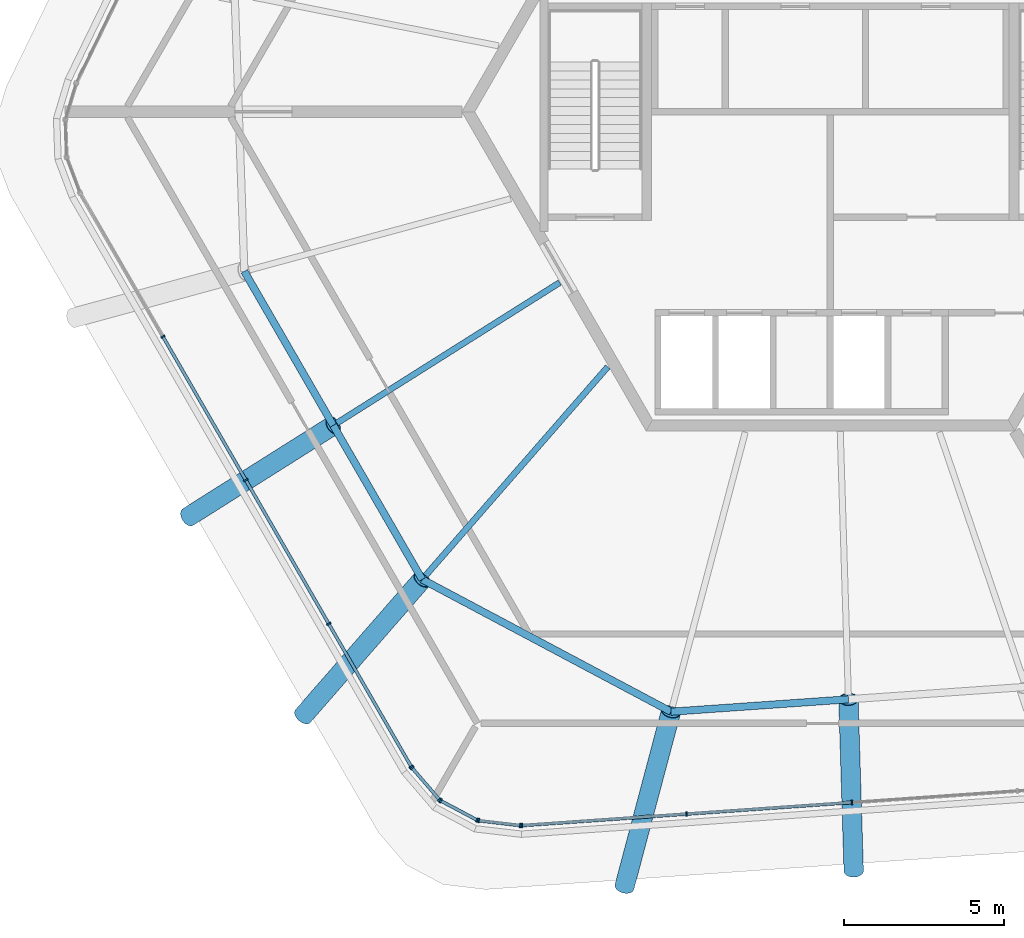
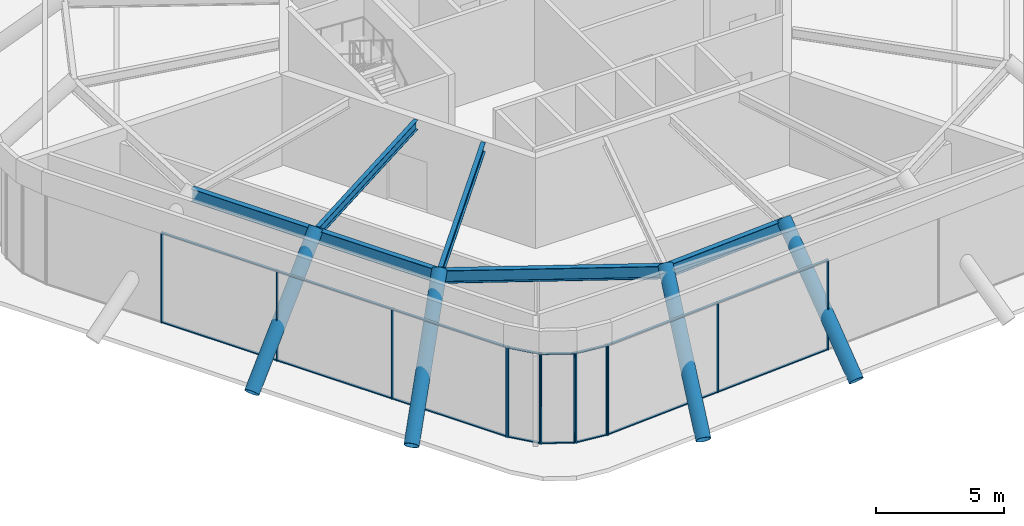
# One storey, part 1 of 13: 33 members, 6 beams, 5 elements without a shape of their own.
"""IFC4 building model written with IfcOpenShell, lengths in metres."""

import ifcopenshell
import ifcopenshell.guid

model = None  # the IFC model being written
_history = None  # IfcOwnerHistory: only IFC2X3 demands one
_inside = {}  # id of a spatial element -> (the spatial element, [elements in it])
_under = {}  # id of a project, library or spatial element -> (it, [spatial elements below it])
_declared = {}  # id of a project -> (the project, [libraries it declares])
_typed = {}  # id of a type object -> (the type object, [elements of that type])
_made_of = {}  # id of a material, layer set ... -> (it, [elements and type objects made of it])


def new_model(schema):
    """Start an empty IFC model of exactly this schema.

    Asked for "IFC4X3", IfcOpenShell would pick the latest addendum, in which some entities
    have other attributes; the version numbers below select the first issue.
    IFC2X3 requires an IfcOwnerHistory on every rooted entity: one is made here for all.
    """
    global model, _history
    if schema == "IFC4X3":
        model = ifcopenshell.file(schema_version=(4, 3, 0, 0))
    else:
        model = ifcopenshell.file(schema=schema)
    _inside.clear()
    _under.clear()
    _declared.clear()
    _typed.clear()
    _made_of.clear()
    _history = None
    if model.schema == "IFC2X3":
        org = make("IfcOrganization", Name="unknown")
        user = make(
            "IfcPersonAndOrganization",
            ThePerson=make("IfcPerson", FamilyName="unknown"),
            TheOrganization=org,
        )
        app = make(
            "IfcApplication",
            ApplicationDeveloper=org,
            Version="unknown",
            ApplicationFullName="unknown",
            ApplicationIdentifier="unknown",
        )
        _history = make(
            "IfcOwnerHistory",
            OwningUser=user,
            OwningApplication=app,
            ChangeAction="ADDED",
            CreationDate=0,
        )
    return model


def make(cls, **values):
    """One entity of the class cls with the attributes given. An attribute that is None is left unset."""
    return model.create_entity(
        cls, **{name: value for name, value in values.items() if value is not None}
    )


def rooted(cls, **values):
    """An entity with a GlobalId (a new one), such as an element, a storey or a relation."""
    return make(cls, GlobalId=ifcopenshell.guid.new(), OwnerHistory=_history, **values)


def si_unit(unit_type, name, prefix=None):
    """IfcSIUnit, for example si_unit("LENGTHUNIT", "METRE", prefix="MILLI")."""
    return make("IfcSIUnit", UnitType=unit_type, Prefix=prefix, Name=name)


def assignment(units):
    """IfcUnitAssignment: the units of a project."""
    return None if units is None else make("IfcUnitAssignment", Units=units)


def point(xyz):
    """IfcCartesianPoint."""
    return None if xyz is None else make("IfcCartesianPoint", Coordinates=xyz)


def direction(xyz):
    """IfcDirection."""
    return None if xyz is None else make("IfcDirection", DirectionRatios=xyz)


def frame(location, z_axis=None, x_axis=None):
    """IfcAxis2Placement3D, a coordinate frame: its origin and axes. An axis left out is left unset."""
    return make(
        "IfcAxis2Placement3D",
        Location=point(location),
        Axis=direction(z_axis),
        RefDirection=direction(x_axis),
    )


def frame_2d(location, x_axis=None):
    """IfcAxis2Placement2D, a coordinate frame in the plane: its origin and x axis."""
    return make(
        "IfcAxis2Placement2D", Location=point(location), RefDirection=direction(x_axis)
    )


def origin():
    """The frame at (0, 0, 0) with its axes left unset."""
    return frame((0.0, 0.0, 0.0))


def origin_2d():
    """The frame at (0, 0) in the plane with its x axis left unset."""
    return frame_2d((0.0, 0.0))


def place(relative_to, where):
    """IfcLocalPlacement: puts the frame where relative to a parent placement (None: the world)."""
    return make(
        "IfcLocalPlacement", PlacementRelTo=relative_to, RelativePlacement=where
    )


def context(
    kind, dimensions, precision=None, world=None, true_north=None, identifier=None
):
    """IfcGeometricRepresentationContext, for example the 3D "Model" context."""
    return make(
        "IfcGeometricRepresentationContext",
        ContextIdentifier=identifier,
        ContextType=kind,
        CoordinateSpaceDimension=dimensions,
        Precision=precision,
        WorldCoordinateSystem=world,
        TrueNorth=true_north,
    )


def subcontext(parent, identifier, kind, view, scale=None):
    """IfcGeometricRepresentationSubContext, for example "Body" below "Model"."""
    return make(
        "IfcGeometricRepresentationSubContext",
        ContextIdentifier=identifier,
        ContextType=kind,
        ParentContext=parent,
        TargetScale=scale,
        TargetView=view,
    )


def project(units=None, contexts=None):
    """IfcProject with its units and contexts."""
    return rooted(
        "IfcProject",
        Name="project",
        RepresentationContexts=contexts,
        UnitsInContext=assignment(units),
    )


def spatial(cls, under=None, at=None, **own):
    """A site, building, storey or space (cls), placed at a placement, below another one or the project."""
    s = rooted(cls, ObjectPlacement=at, **own)
    if under is not None:
        _under.setdefault(under.id(), (under, []))[1].append(s)
    return s


def profile(cls, at=None, kind="AREA", **sizes):
    """A parametric profile (cls). Its sizes go by their IFC names, for example OverallWidth=200.0."""
    return make(cls, ProfileType=kind, Position=at, **sizes)


def rectangle(**sizes):
    """IfcRectangleProfileDef."""
    return profile("IfcRectangleProfileDef", **sizes)


def hollow_circle(**sizes):
    """IfcCircleHollowProfileDef."""
    return profile("IfcCircleHollowProfileDef", **sizes)


def i_section(**sizes):
    """IfcIShapeProfileDef."""
    return profile("IfcIShapeProfileDef", **sizes)


def extrude(swept, where, along, depth):
    """IfcExtrudedAreaSolid: the profile swept, set in the frame where, extruded along a direction by depth."""
    return make(
        "IfcExtrudedAreaSolid",
        SweptArea=swept,
        Position=where,
        ExtrudedDirection=direction(along),
        Depth=depth,
    )


def shape(context_of_items, identifier, shape_type, items):
    """IfcShapeRepresentation: the items that make up one representation, for example the "Body"."""
    return make(
        "IfcShapeRepresentation",
        ContextOfItems=context_of_items,
        RepresentationIdentifier=identifier,
        RepresentationType=shape_type,
        Items=items,
    )


def material(Name=None, Category=None):
    """IfcMaterial."""
    return make("IfcMaterial", Name=Name, Category=Category)


def material_profile(
    of_material, cross_section, Name=None, Category=None, Priority=None
):
    """IfcMaterialProfile: a cross section and its material."""
    return make(
        "IfcMaterialProfile",
        Name=Name,
        Material=of_material,
        Profile=cross_section,
        Priority=Priority,
        Category=Category,
    )


def profile_set(profiles, Name=None, composite=None):
    """IfcMaterialProfileSet."""
    return make(
        "IfcMaterialProfileSet",
        Name=Name,
        MaterialProfiles=profiles,
        CompositeProfile=composite,
    )


def made_of(thing, what):
    """Note that an element or type object is made of a material, layer set ...; save() writes the relation."""
    if what is not None:
        _made_of.setdefault(what.id(), (what, []))[1].append(thing)
    return thing


def type_object(cls, material=None, **own):
    """A type object (cls), such as IfcWallType, which elements share."""
    return made_of(rooted(cls, **own), material)


def element(
    cls,
    number,
    at=None,
    inside=None,
    cuts=None,
    type_object=None,
    material=None,
    context=None,
    identifier="Body",
    shape_type=None,
    held_by="IfcProductDefinitionShape",
    body=None,
    shapes=None,
    **own,
):
    """One element of the class cls, such as IfcWall. Its Tag is "e" and its number.

    at: its placement. inside: the storey or other place that contains it. cuts: it is an
    opening in that element (IfcRelVoidsElement). A single representation is given by context,
    identifier, shape_type and body (its items); several are given by shapes. held_by: the class
    of the entity that holds the representations. save() writes the other relations.
    """
    e = rooted(cls, Tag="e%d" % number, ObjectPlacement=at, **own)
    if body is not None:
        shapes = [shape(context, identifier, shape_type, body)]
    if shapes is not None:
        e.Representation = make(held_by, Representations=shapes)
    if inside is not None:
        _inside.setdefault(inside.id(), (inside, []))[1].append(e)
    if cuts is not None:
        rooted(
            "IfcRelVoidsElement", RelatingBuildingElement=cuts, RelatedOpeningElement=e
        )
    if type_object is not None:
        _typed.setdefault(type_object.id(), (type_object, []))[1].append(e)
    return made_of(e, material)


def aggregate(whole, parts):
    """IfcRelAggregates: a whole, such as a stair, and the parts it consists of."""
    return rooted("IfcRelAggregates", RelatingObject=whole, RelatedObjects=parts)


def save(model, path):
    """Write the relations noted so far, then the file.

    IfcRelAggregates (storeys below a building ...), IfcRelContainedInSpatialStructure (elements
    in a storey), IfcRelDefinesByType, IfcRelAssociatesMaterial and IfcRelDeclares: one each for
    every whole, place, type object, material and project.
    """
    for whole, parts in _under.values():
        aggregate(whole, parts)
    for where, things in _inside.values():
        rooted(
            "IfcRelContainedInSpatialStructure",
            RelatedElements=things,
            RelatingStructure=where,
        )
    for kind, things in _typed.values():
        rooted("IfcRelDefinesByType", RelatedObjects=things, RelatingType=kind)
    for what, things in _made_of.values():
        rooted("IfcRelAssociatesMaterial", RelatedObjects=things, RelatingMaterial=what)
    for by, libraries in _declared.values():
        rooted("IfcRelDeclares", RelatingContext=by, RelatedDefinitions=libraries)
    model.write(path)


model = new_model("IFC4")

# Units and contexts
model_context = context("Model", 3, precision=1e-05, world=origin(), true_north=direction((0.0, 1.0)))
body_context = subcontext(model_context, "Body", "Model", "MODEL_VIEW")
ifc_project = project(units=[si_unit("LENGTHUNIT", "METRE"), si_unit("AREAUNIT", "SQUARE_METRE"), si_unit("VOLUMEUNIT", "CUBIC_METRE"), si_unit("PLANEANGLEUNIT", "RADIAN"), si_unit("MASSUNIT", "GRAM", prefix="KILO")], contexts=[model_context])

# Site, building, storey
site_placement = place(None, origin())
site = spatial("IfcSite", under=ifc_project, at=site_placement, CompositionType="ELEMENT")
building_placement = place(site_placement, origin())
building = spatial("IfcBuilding", under=site, at=building_placement, Name="Tarnside Tower", CompositionType="ELEMENT")
storey_placement = place(building_placement, frame((0.0, 0.0, 388.199951171875)))
storey = spatial("IfcBuildingStorey", under=building, at=storey_placement, Name="L92", CompositionType="ELEMENT", Elevation=388.199951171875)

# Curtain wall, members
ifc_material_1 = material(Name="Crown glazing wall", Category="glass")
curtain_wall_type = type_object("IfcCurtainWallType", Name="Crown glazing wall", PredefinedType="NOTDEFINED", material=ifc_material_1)
curtain_wall_1_placement = place(storey_placement, origin())
curtain_wall_1 = element("IfcCurtainWall", 1, at=curtain_wall_1_placement, inside=storey, type_object=curtain_wall_type, Name="Crown glazing L92 12", PredefinedType="NOTDEFINED")
ifc_material_2 = material(Name="Aluminium alloy 6063", Category="aluminium")
ifc_material_profile_1 = material_profile(ifc_material_2, rectangle(XDim=0.139892578125, YDim=0.050048828125, at=origin_2d()), Name="Crown glazing mullion 50 x 140")
ifc_profile_set_1 = profile_set([ifc_material_profile_1], Name="Aluminium alloy 6063")
member_type_1 = type_object("IfcMemberType", Name="Crown glazing mullion 50 x 140", PredefinedType="MULLION", material=ifc_profile_set_1)
member_1_placement = place(storey_placement, frame((0.673828125, -21.6357421875, 0.0), z_axis=(0.0, 0.0, 1.0), x_axis=(0.069756473744, -0.99756405026, 0.0)))
member_1 = element("IfcMember", 2, at=member_1_placement, type_object=member_type_1, Name="CW6 mullion 3", PredefinedType="MULLION", context=body_context, shape_type="SweptSolid", body=[
    extrude(rectangle(XDim=0.139892578125, YDim=0.050048828125, at=origin_2d()), origin(), (0.0, 0.0, 1.0), 4.300048828125),
])
member_2_placement = place(storey_placement, frame((-4.508544921875, -21.998046875, 0.0), z_axis=(0.0, 0.0, 1.0), x_axis=(0.069756473744, -0.99756405026, 0.0)))
member_2 = element("IfcMember", 3, at=member_2_placement, type_object=member_type_1, Name="CW6 mullion 4", PredefinedType="MULLION", context=body_context, shape_type="SweptSolid", body=[
    extrude(rectangle(XDim=0.139892578125, YDim=0.050048828125, at=origin_2d()), origin(), (0.0, 0.0, 1.0), 4.300048828125),
])
member_3_placement = place(storey_placement, frame((-9.666015625, -22.358642578125, 0.0), z_axis=(0.0, 0.0, 1.0), x_axis=(0.069756473744, -0.99756405026, 0.0)))
member_3 = element("IfcMember", 4, at=member_3_placement, type_object=member_type_1, Name="CW6 mullion 5", PredefinedType="MULLION", context=body_context, shape_type="SweptSolid", body=[
    extrude(rectangle(XDim=0.139892578125, YDim=0.050048828125, at=origin_2d()), origin(), (0.0, 0.0, 1.0), 4.300048828125),
])

curtain_wall_2_placement = place(storey_placement, origin())
curtain_wall_2 = element("IfcCurtainWall", 5, at=curtain_wall_2_placement, inside=storey, type_object=curtain_wall_type, Name="Crown glazing L92 13", PredefinedType="NOTDEFINED")
member_4_placement = place(storey_placement, frame((-9.7158203125, -22.357666015625, 0.0), z_axis=(0.0, 0.0, 1.0), x_axis=(-0.116092914096, -0.993238357745, 0.0)))
member_4 = element("IfcMember", 6, at=member_4_placement, type_object=member_type_1, Name="CW6 mullion 1", PredefinedType="MULLION", context=body_context, shape_type="SweptSolid", body=[
    extrude(rectangle(XDim=0.139892578125, YDim=0.050048828125, at=origin_2d()), origin(), (0.0, 0.0, 1.0), 4.300048828125),
])
member_5_placement = place(storey_placement, frame((-11.02001953125, -22.205078125, 0.0), z_axis=(0.0, 0.0, 1.0), x_axis=(-0.116092914096, -0.993238357745, 0.0)))
member_5 = element("IfcMember", 7, at=member_5_placement, type_object=member_type_1, Name="CW6 mullion 2", PredefinedType="MULLION", context=body_context, shape_type="SweptSolid", body=[
    extrude(rectangle(XDim=0.139892578125, YDim=0.050048828125, at=origin_2d()), origin(), (0.0, 0.0, 1.0), 4.300048828125),
])

curtain_wall_3_placement = place(storey_placement, origin())
curtain_wall_3 = element("IfcCurtainWall", 8, at=curtain_wall_3_placement, inside=storey, type_object=curtain_wall_type, Name="Crown glazing L92 14", PredefinedType="NOTDEFINED")
member_6_placement = place(storey_placement, frame((-11.067138671875, -22.1904296875, 0.0), z_axis=(0.0, 0.0, 1.0), x_axis=(-0.469471563094, -0.882947592695, 0.0)))
member_6 = element("IfcMember", 9, at=member_6_placement, type_object=member_type_1, Name="CW6 mullion 1", PredefinedType="MULLION", context=body_context, shape_type="SweptSolid", body=[
    extrude(rectangle(XDim=0.139892578125, YDim=0.050048828125, at=origin_2d()), origin(), (0.0, 0.0, 1.0), 4.300048828125),
])
member_7_placement = place(storey_placement, frame((-12.2080078125, -21.583740234375, 0.0), z_axis=(0.0, 0.0, 1.0), x_axis=(-0.469471563094, -0.882947592695, 0.0)))
member_7 = element("IfcMember", 10, at=member_7_placement, type_object=member_type_1, Name="CW6 mullion 2", PredefinedType="MULLION", context=body_context, shape_type="SweptSolid", body=[
    extrude(rectangle(XDim=0.139892578125, YDim=0.050048828125, at=origin_2d()), origin(), (0.0, 0.0, 1.0), 4.300048828125),
])

curtain_wall_4_placement = place(storey_placement, origin())
curtain_wall_4 = element("IfcCurtainWall", 11, at=curtain_wall_4_placement, inside=storey, type_object=curtain_wall_type, Name="Crown glazing L92 15", PredefinedType="NOTDEFINED")
member_8_placement = place(storey_placement, frame((-12.24658203125, -21.552978515625, 0.0), z_axis=(0.0, 0.0, 1.0), x_axis=(-0.758513583243, -0.651657228945, 0.0)))
member_8 = element("IfcMember", 12, at=member_8_placement, type_object=member_type_1, Name="CW6 mullion 1", PredefinedType="MULLION", context=body_context, shape_type="SweptSolid", body=[
    extrude(rectangle(XDim=0.139892578125, YDim=0.050048828125, at=origin_2d()), origin(), (0.0, 0.0, 1.0), 4.300048828125),
])
member_9_placement = place(storey_placement, frame((-13.102294921875, -20.556884765625, 0.0), z_axis=(0.0, 0.0, 1.0), x_axis=(-0.758513583243, -0.651657228945, 0.0)))
member_9 = element("IfcMember", 13, at=member_9_placement, type_object=member_type_1, Name="CW6 mullion 2", PredefinedType="MULLION", context=body_context, shape_type="SweptSolid", body=[
    extrude(rectangle(XDim=0.139892578125, YDim=0.050048828125, at=origin_2d()), origin(), (0.0, 0.0, 1.0), 4.300048828125),
])

curtain_wall_5_placement = place(storey_placement, origin())
curtain_wall_5 = element("IfcCurtainWall", 14, at=curtain_wall_5_placement, inside=storey, type_object=curtain_wall_type, Name="Crown glazing L92 16", PredefinedType="NOTDEFINED")
member_10_placement = place(storey_placement, frame((-13.131103515625, -20.516357421875, 0.0), z_axis=(0.0, 0.0, 1.0), x_axis=(-0.866025403802, -0.49999999997, 0.0)))
member_10 = element("IfcMember", 15, at=member_10_placement, type_object=member_type_1, Name="CW6 mullion 1", PredefinedType="MULLION", context=body_context, shape_type="SweptSolid", body=[
    extrude(rectangle(XDim=0.139892578125, YDim=0.050048828125, at=origin_2d()), origin(), (0.0, 0.0, 1.0), 4.300048828125),
])
member_11_placement = place(storey_placement, frame((-15.716064453125, -16.0390625, 0.0), z_axis=(0.0, 0.0, 1.0), x_axis=(-0.866025403802, -0.49999999997, 0.0)))
member_11 = element("IfcMember", 16, at=member_11_placement, type_object=member_type_1, Name="CW6 mullion 2", PredefinedType="MULLION", context=body_context, shape_type="SweptSolid", body=[
    extrude(rectangle(XDim=0.139892578125, YDim=0.050048828125, at=origin_2d()), origin(), (0.0, 0.0, 1.0), 4.300048828125),
])
member_12_placement = place(storey_placement, frame((-18.3134765625, -11.5400390625, 0.0), z_axis=(0.0, 0.0, 1.0), x_axis=(-0.866025403802, -0.49999999997, 0.0)))
member_12 = element("IfcMember", 17, at=member_12_placement, type_object=member_type_1, Name="CW6 mullion 3", PredefinedType="MULLION", context=body_context, shape_type="SweptSolid", body=[
    extrude(rectangle(XDim=0.139892578125, YDim=0.050048828125, at=origin_2d()), origin(), (0.0, 0.0, 1.0), 4.300048828125),
])
member_13_placement = place(storey_placement, frame((-20.9111328125, -7.041015625, 0.0), z_axis=(0.0, 0.0, 1.0), x_axis=(-0.866025403802, -0.49999999997, 0.0)))
member_13 = element("IfcMember", 18, at=member_13_placement, type_object=member_type_1, Name="CW6 mullion 4", PredefinedType="MULLION", context=body_context, shape_type="SweptSolid", body=[
    extrude(rectangle(XDim=0.139892578125, YDim=0.050048828125, at=origin_2d()), origin(), (0.0, 0.0, 1.0), 4.300048828125),
])

# Member
ifc_material_profile_2 = material_profile(ifc_material_2, rectangle(XDim=0.10009765625, YDim=0.050048828125, at=origin_2d()), Name="Crown glazing transom 50 x 100")
ifc_profile_set_2 = profile_set([ifc_material_profile_2], Name="Aluminium alloy 6063")
member_type_2 = type_object("IfcMemberType", Name="Crown glazing transom 50 x 100", PredefinedType="USERDEFINED", material=ifc_profile_set_2)
member_14_placement = place(storey_placement, frame((0.648681640625, -21.637451171875, 0.025146484375), z_axis=(-0.997564055017, -0.069756405712, 0.0), x_axis=(0.069756405712, -0.997564055017, 0.0)))
member_14 = element("IfcMember", 19, at=member_14_placement, type_object=member_type_2, Name="CW6 transom 3.1", ObjectType="TRANSOM", PredefinedType="USERDEFINED", context=body_context, shape_type="SweptSolid", body=[
    extrude(rectangle(XDim=0.10009765625, YDim=0.050048828125, at=origin_2d()), origin(), (0.0, 0.0, 1.0), 5.144775390625),
])

member_15_placement = place(storey_placement, frame((0.648681640625, -21.637451171875, 4.275146484375), z_axis=(-0.997564055017, -0.069756405712, 0.0), x_axis=(0.069756405712, -0.997564055017, 0.0)))
member_15 = element("IfcMember", 20, at=member_15_placement, type_object=member_type_2, Name="CW6 transom 3.2", ObjectType="TRANSOM", PredefinedType="USERDEFINED", context=body_context, shape_type="SweptSolid", body=[
    extrude(rectangle(XDim=0.10009765625, YDim=0.050048828125, at=origin_2d()), origin(), (0.0, 0.0, 1.0), 5.144775390625),
])

member_16_placement = place(storey_placement, frame((-4.533447265625, -21.999755859375, 0.025146484375), z_axis=(-0.997563847299, -0.069759376158, 0.0), x_axis=(0.069759376158, -0.997563847299, 0.0)))
member_16 = element("IfcMember", 21, at=member_16_placement, type_object=member_type_2, Name="CW6 transom 4.1", ObjectType="TRANSOM", PredefinedType="USERDEFINED", context=body_context, shape_type="SweptSolid", body=[
    extrude(rectangle(XDim=0.10009765625, YDim=0.050048828125, at=origin_2d()), origin(), (0.0, 0.0, 1.0), 5.1201171875),
])

member_17_placement = place(storey_placement, frame((-4.533447265625, -21.999755859375, 4.275146484375), z_axis=(-0.997563847299, -0.069759376158, 0.0), x_axis=(0.069759376158, -0.997563847299, 0.0)))
member_17 = element("IfcMember", 22, at=member_17_placement, type_object=member_type_2, Name="CW6 transom 4.2", ObjectType="TRANSOM", PredefinedType="USERDEFINED", context=body_context, shape_type="SweptSolid", body=[
    extrude(rectangle(XDim=0.10009765625, YDim=0.050048828125, at=origin_2d()), origin(), (0.0, 0.0, 1.0), 5.1201171875),
])

aggregate(curtain_wall_1, [member_1, member_2, member_3, member_14, member_15, member_16, member_17])

member_18_placement = place(storey_placement, frame((-9.740478515625, -22.354736328125, 0.025146484375), z_axis=(-0.993233451258, 0.116134884087, 0.0), x_axis=(-0.116134884087, -0.993233451258, 0.0)))
member_18 = element("IfcMember", 23, at=member_18_placement, type_object=member_type_2, Name="CW6 transom 1.1", ObjectType="TRANSOM", PredefinedType="USERDEFINED", context=body_context, shape_type="SweptSolid", body=[
    extrude(rectangle(XDim=0.10009765625, YDim=0.050048828125, at=origin_2d()), origin(), (0.0, 0.0, 1.0), 1.263427734375),
])

member_19_placement = place(storey_placement, frame((-9.740478515625, -22.354736328125, 4.275146484375), z_axis=(-0.993233451258, 0.116134884087, 0.0), x_axis=(-0.116134884087, -0.993233451258, 0.0)))
member_19 = element("IfcMember", 24, at=member_19_placement, type_object=member_type_2, Name="CW6 transom 1.2", ObjectType="TRANSOM", PredefinedType="USERDEFINED", context=body_context, shape_type="SweptSolid", body=[
    extrude(rectangle(XDim=0.10009765625, YDim=0.050048828125, at=origin_2d()), origin(), (0.0, 0.0, 1.0), 1.263427734375),
])

aggregate(curtain_wall_2, [member_4, member_5, member_18, member_19])

member_20_placement = place(storey_placement, frame((-11.089111328125, -22.1787109375, 0.025146484375), z_axis=(-0.882945187875, 0.469476085874, 0.0), x_axis=(-0.469476085874, -0.882945187875, 0.0)))
member_20 = element("IfcMember", 25, at=member_20_placement, type_object=member_type_2, Name="CW6 transom 1.1", ObjectType="TRANSOM", PredefinedType="USERDEFINED", context=body_context, shape_type="SweptSolid", body=[
    extrude(rectangle(XDim=0.10009765625, YDim=0.050048828125, at=origin_2d()), origin(), (0.0, 0.0, 1.0), 1.242431640625),
])

member_21_placement = place(storey_placement, frame((-11.089111328125, -22.1787109375, 4.275146484375), z_axis=(-0.882945187875, 0.469476085874, 0.0), x_axis=(-0.469476085874, -0.882945187875, 0.0)))
member_21 = element("IfcMember", 26, at=member_21_placement, type_object=member_type_2, Name="CW6 transom 1.2", ObjectType="TRANSOM", PredefinedType="USERDEFINED", context=body_context, shape_type="SweptSolid", body=[
    extrude(rectangle(XDim=0.10009765625, YDim=0.050048828125, at=origin_2d()), origin(), (0.0, 0.0, 1.0), 1.242431640625),
])

aggregate(curtain_wall_3, [member_6, member_7, member_20, member_21])

member_22_placement = place(storey_placement, frame((-12.2626953125, -21.5341796875, 0.025146484375), z_axis=(-0.65165036566, 0.758519479602, 0.0), x_axis=(-0.758519479602, -0.65165036566, 0.0)))
member_22 = element("IfcMember", 27, at=member_22_placement, type_object=member_type_2, Name="CW6 transom 1.1", ObjectType="TRANSOM", PredefinedType="USERDEFINED", context=body_context, shape_type="SweptSolid", body=[
    extrude(rectangle(XDim=0.10009765625, YDim=0.050048828125, at=origin_2d()), origin(), (0.0, 0.0, 1.0), 1.263427734375),
])

member_23_placement = place(storey_placement, frame((-12.2626953125, -21.5341796875, 4.275146484375), z_axis=(-0.65165036566, 0.758519479602, 0.0), x_axis=(-0.758519479602, -0.65165036566, 0.0)))
member_23 = element("IfcMember", 28, at=member_23_placement, type_object=member_type_2, Name="CW6 transom 1.2", ObjectType="TRANSOM", PredefinedType="USERDEFINED", context=body_context, shape_type="SweptSolid", body=[
    extrude(rectangle(XDim=0.10009765625, YDim=0.050048828125, at=origin_2d()), origin(), (0.0, 0.0, 1.0), 1.263427734375),
])

aggregate(curtain_wall_4, [member_8, member_9, member_22, member_23])

member_24_placement = place(storey_placement, frame((-13.1435546875, -20.49462890625, 0.025146484375), z_axis=(-0.500005879718, 0.866022009101, 0.0), x_axis=(-0.866022009101, -0.500005879718, 0.0)))
member_24 = element("IfcMember", 29, at=member_24_placement, type_object=member_type_2, Name="CW6 transom 1.1", ObjectType="TRANSOM", PredefinedType="USERDEFINED", context=body_context, shape_type="SweptSolid", body=[
    extrude(rectangle(XDim=0.10009765625, YDim=0.050048828125, at=origin_2d()), origin(), (0.0, 0.0, 1.0), 5.1201171875),
])

member_25_placement = place(storey_placement, frame((-13.1435546875, -20.49462890625, 4.275146484375), z_axis=(-0.500005879718, 0.866022009101, 0.0), x_axis=(-0.866022009101, -0.500005879718, 0.0)))
member_25 = element("IfcMember", 30, at=member_25_placement, type_object=member_type_2, Name="CW6 transom 1.2", ObjectType="TRANSOM", PredefinedType="USERDEFINED", context=body_context, shape_type="SweptSolid", body=[
    extrude(rectangle(XDim=0.10009765625, YDim=0.050048828125, at=origin_2d()), origin(), (0.0, 0.0, 1.0), 5.1201171875),
])

member_26_placement = place(storey_placement, frame((-15.728515625, -16.017333984375, 0.025146484375), z_axis=(-0.499992178984, 0.866029919203, 0.0), x_axis=(-0.866029919203, -0.499992178984, 0.0)))
member_26 = element("IfcMember", 31, at=member_26_placement, type_object=member_type_2, Name="CW6 transom 2.1", ObjectType="TRANSOM", PredefinedType="USERDEFINED", context=body_context, shape_type="SweptSolid", body=[
    extrude(rectangle(XDim=0.10009765625, YDim=0.050048828125, at=origin_2d()), origin(), (0.0, 0.0, 1.0), 5.14501953125),
])

member_27_placement = place(storey_placement, frame((-15.728515625, -16.017333984375, 4.275146484375), z_axis=(-0.499992178984, 0.866029919203, 0.0), x_axis=(-0.866029919203, -0.499992178984, 0.0)))
member_27 = element("IfcMember", 32, at=member_27_placement, type_object=member_type_2, Name="CW6 transom 2.2", ObjectType="TRANSOM", PredefinedType="USERDEFINED", context=body_context, shape_type="SweptSolid", body=[
    extrude(rectangle(XDim=0.10009765625, YDim=0.050048828125, at=origin_2d()), origin(), (0.0, 0.0, 1.0), 5.14501953125),
])

member_28_placement = place(storey_placement, frame((-18.326171875, -11.518310546875, 0.025146484375), z_axis=(-0.499977135954, 0.866038603945, 0.0), x_axis=(-0.866038603945, -0.499977135954, 0.0)))
member_28 = element("IfcMember", 33, at=member_28_placement, type_object=member_type_2, Name="CW6 transom 3.1", ObjectType="TRANSOM", PredefinedType="USERDEFINED", context=body_context, shape_type="SweptSolid", body=[
    extrude(rectangle(XDim=0.10009765625, YDim=0.050048828125, at=origin_2d()), origin(), (0.0, 0.0, 1.0), 5.144775390625),
])

member_29_placement = place(storey_placement, frame((-18.326171875, -11.518310546875, 4.275146484375), z_axis=(-0.499977135954, 0.866038603945, 0.0), x_axis=(-0.866038603945, -0.499977135954, 0.0)))
member_29 = element("IfcMember", 34, at=member_29_placement, type_object=member_type_2, Name="CW6 transom 3.2", ObjectType="TRANSOM", PredefinedType="USERDEFINED", context=body_context, shape_type="SweptSolid", body=[
    extrude(rectangle(XDim=0.10009765625, YDim=0.050048828125, at=origin_2d()), origin(), (0.0, 0.0, 1.0), 5.144775390625),
])

aggregate(curtain_wall_5, [member_10, member_11, member_12, member_13, member_24, member_25, member_26, member_27, member_28, member_29])

# Beams
ifc_material_3 = material(Name="Steel S355", Category="steel")
ifc_material_profile_3 = material_profile(ifc_material_3, i_section(OverallWidth=0.18994140625, OverallDepth=0.453369140625, WebThickness=0.008544921875, FlangeThickness=0.0126953125, FilletRadius=0.01025390625, at=origin_2d()), Name="UB 457x191x67")
ifc_profile_set_3 = profile_set([ifc_material_profile_3], Name="Steel S355")
beam_type_1 = type_object("IfcBeamType", Name="Floor beam UB 457x191x67", PredefinedType="BEAM", material=ifc_profile_set_3)
beam_1_placement = place(storey_placement, frame((-15.4609375, -9.752685546875, 4.0732421875), z_axis=(0.845798785417, 0.533502028662, 0.0), x_axis=(-0.533502028662, 0.845798785417, 0.0)))
element("IfcBeam", 35, at=beam_1_placement, inside=storey, type_object=beam_type_1, Name="Floor beam RB8", PredefinedType="BEAM", context=body_context, shape_type="SweptSolid", body=[
    extrude(i_section(OverallWidth=0.18994140625, OverallDepth=0.453369140625, WebThickness=0.008544921875, FlangeThickness=0.0126953125, FilletRadius=0.01025390625, at=origin_2d()), origin(), (0.0, 0.0, 1.0), 8.252197265625),
])
beam_2_placement = place(storey_placement, frame((-12.6826171875, -14.529052734375, 4.0732421875), z_axis=(0.657609746008, 0.753358760456, 0.0), x_axis=(-0.753358760456, 0.657609746008, 0.0)))
element("IfcBeam", 36, at=beam_2_placement, inside=storey, type_object=beam_type_1, Name="Floor beam RB9", PredefinedType="BEAM", context=body_context, shape_type="SweptSolid", body=[
    extrude(i_section(OverallWidth=0.18994140625, OverallDepth=0.453369140625, WebThickness=0.008544921875, FlangeThickness=0.0126953125, FilletRadius=0.01025390625, at=origin_2d()), origin(), (0.0, 0.0, 1.0), 8.677001953125),
])
ifc_material_profile_4 = material_profile(ifc_material_3, i_section(OverallWidth=0.228271484375, OverallDepth=0.607666015625, WebThickness=0.010986328125, FlangeThickness=0.017333984375, FilletRadius=0.0126953125, at=origin_2d()), Name="UB 610x229x113")
ifc_profile_set_4 = profile_set([ifc_material_profile_4], Name="Steel S355")
beam_type_2 = type_object("IfcBeamType", Name="Floor beam UB 610x229x113", PredefinedType="BEAM", material=ifc_profile_set_4)
for number, where, z_axis, x_axis, name in (
    (37, (-18.360595703125, -4.998779296875, 3.996337890625), (0.500003107902, -0.866023609429, 0.0), (0.866023609429, 0.500003107902, 0.0), "Floor beam R7"),
    (38, (-15.574462890625, -9.824462890625, 3.996337890625), (0.500003107902, -0.866023609429, 0.0), (0.866023609429, 0.500003107902, 0.0), "Floor beam R8"),
):
    element("IfcBeam", number, at=place(storey_placement, frame(where, z_axis=z_axis, x_axis=x_axis)), inside=storey, type_object=beam_type_2, Name=name, PredefinedType="BEAM", context=body_context, shape_type="SweptSolid", body=[
        extrude(i_section(OverallWidth=0.228271484375, OverallDepth=0.607666015625, WebThickness=0.010986328125, FlangeThickness=0.017333984375, FilletRadius=0.0126953125, at=origin_2d()), origin(), (0.0, 0.0, 1.0), 5.572265625),
    ])
beam_3_placement = place(storey_placement, frame((-12.788330078125, -14.650146484375, 3.996337890625), z_axis=(0.882950939347, -0.469465268903, 0.0), x_axis=(0.469465268903, 0.882950939347, 0.0)))
element("IfcBeam", 39, at=beam_3_placement, inside=storey, type_object=beam_type_2, Name="Floor beam R9", PredefinedType="BEAM", context=body_context, shape_type="SweptSolid", body=[
    extrude(i_section(OverallWidth=0.228271484375, OverallDepth=0.607666015625, WebThickness=0.010986328125, FlangeThickness=0.017333984375, FilletRadius=0.0126953125, at=origin_2d()), origin(), (0.0, 0.0, 1.0), 8.8271484375),
])
beam_4_placement = place(storey_placement, frame((-4.994384765625, -18.794189453125, 3.996337890625), z_axis=(0.997564335793, 0.06975239031, 0.0), x_axis=(-0.06975239031, 0.997564335793, 0.0)))
element("IfcBeam", 40, at=beam_4_placement, inside=storey, type_object=beam_type_2, Name="Floor beam R10", PredefinedType="BEAM", context=body_context, shape_type="SweptSolid", body=[
    extrude(i_section(OverallWidth=0.228271484375, OverallDepth=0.607666015625, WebThickness=0.010986328125, FlangeThickness=0.017333984375, FilletRadius=0.0126953125, at=origin_2d()), origin(), (0.0, 0.0, 1.0), 5.572265625),
])

# Members
ifc_material_profile_5 = material_profile(ifc_material_3, hollow_circle(Radius=0.304931640625, WallThickness=0.02490234375, at=origin_2d()), Name="CHS 610x25")
ifc_profile_set_5 = profile_set([ifc_material_profile_5], Name="Steel S355")
member_type_3 = type_object("IfcMemberType", Name="Truss diagonal CHS 610x25", PredefinedType="BRACE", material=ifc_profile_set_5)
member_30_placement = place(storey_placement, frame((-20.123779296875, -12.6943359375, -0.199951171875), z_axis=(0.648695759403, 0.409220706869, 0.641663638367), x_axis=(-0.533543792932, 0.84577244045, 0.0)))
element("IfcMember", 41, at=member_30_placement, inside=storey, type_object=member_type_3, Name="Crown leg L92 8", PredefinedType="BRACE", context=body_context, shape_type="SweptSolid", body=[
    extrude(hollow_circle(Radius=0.304931640625, WallThickness=0.02490234375, at=origin_2d()), origin(), (0.0, 0.0, 1.0), 7.012939453125),
])
for number, where, z_axis, x_axis, name in (
    (42, (-16.52392578125, -18.9296875, -0.199951171875), (0.51546720172, 0.590525101558, 0.62094578538), (-0.753361554054, 0.657606545643, 0.0), "Crown leg L92 9"),
    (43, (-6.453369140625, -24.2841796875, -0.199951171875), (0.20132325992, 0.757556249301, 0.620948849874), (-0.966454295118, 0.256838656452, 0.0), "Crown leg L92 10"),
):
    element("IfcMember", number, at=place(storey_placement, frame(where, z_axis=z_axis, x_axis=x_axis)), inside=storey, type_object=member_type_3, Name=name, PredefinedType="BRACE", context=body_context, shape_type="SweptSolid", body=[
        extrude(hollow_circle(Radius=0.304931640625, WallThickness=0.02490234375, at=origin_2d()), origin(), (0.0, 0.0, 1.0), 7.2470703125),
    ])
member_31_placement = place(storey_placement, frame((0.72900390625, -23.781982421875, -0.199951171875), z_axis=(-0.023498166137, 0.766632021723, 0.641656589974), x_axis=(-0.999530583715, -0.030636778858, 0.0)))
element("IfcMember", 44, at=member_31_placement, inside=storey, type_object=member_type_3, Name="Crown leg L92 11", PredefinedType="BRACE", context=body_context, shape_type="SweptSolid", body=[
    extrude(hollow_circle(Radius=0.304931640625, WallThickness=0.02490234375, at=origin_2d()), origin(), (0.0, 0.0, 1.0), 7.01318359375),
])

save(model, "model.ifc")
